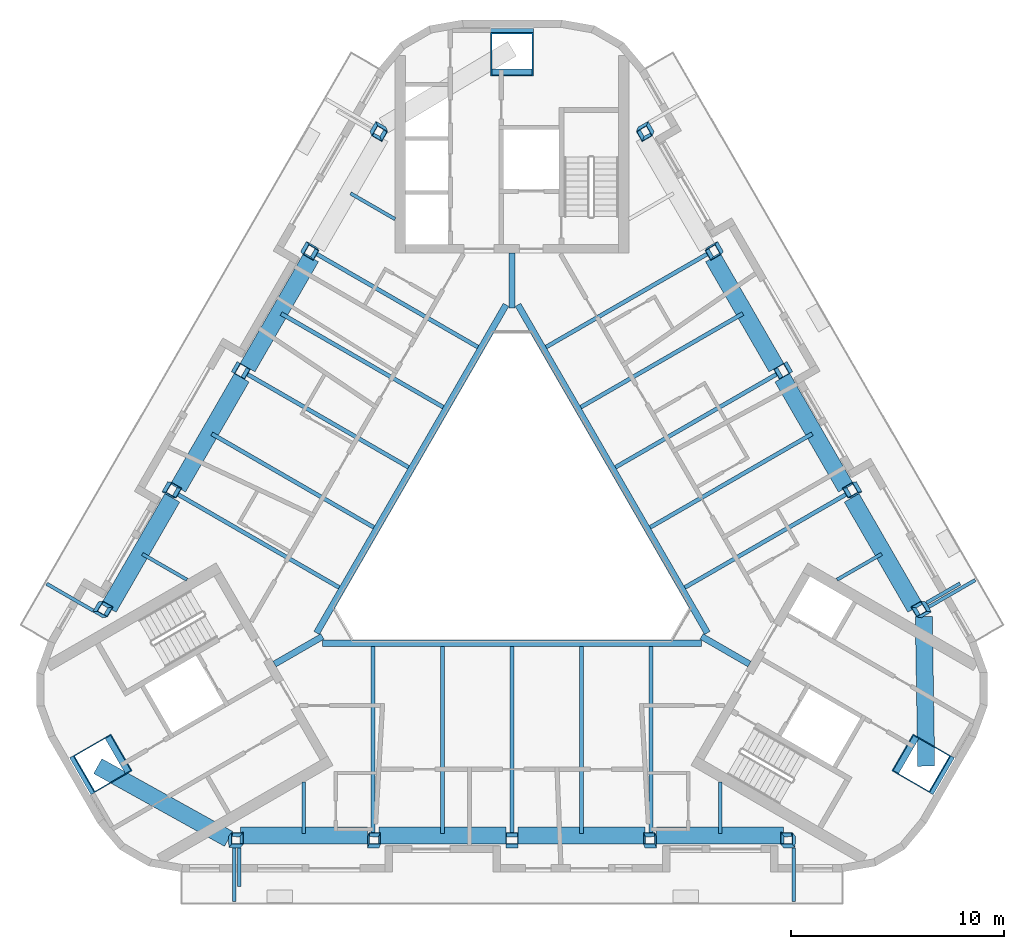
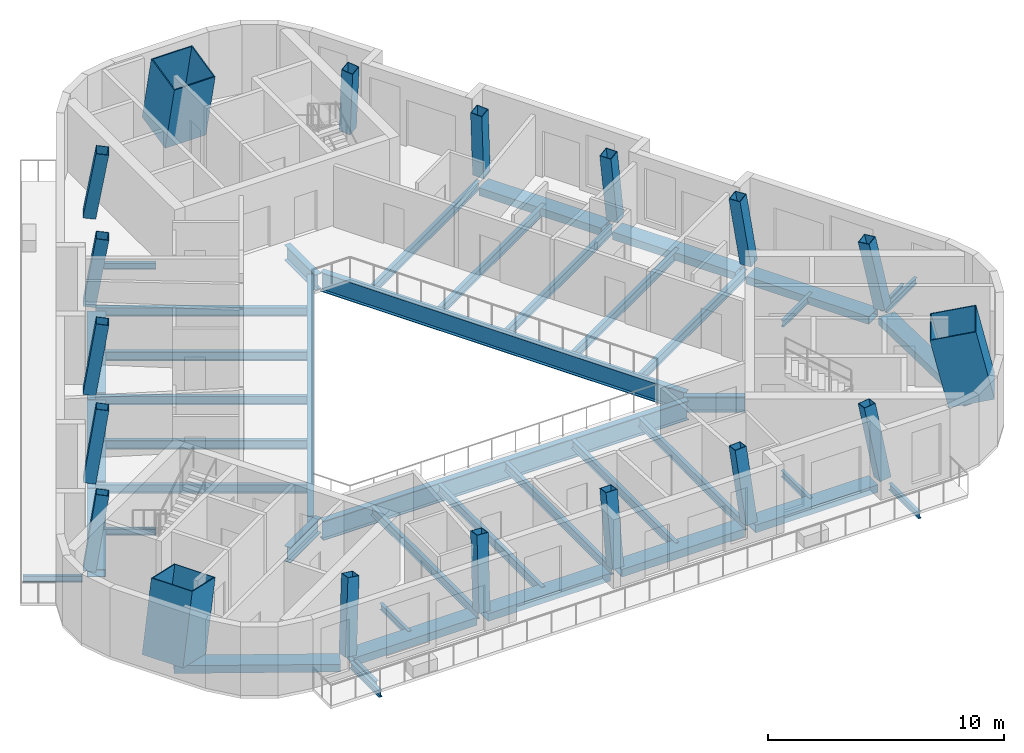
# One storey, part 1 of 11: 44 beams, 18 columns.
"""IFC4 building model written with IfcOpenShell, lengths in metres."""

from ifc_helpers import new_model, si_unit, direction, frame, origin, origin_2d, place, context, subcontext, project, spatial, rectangle, hollow_rectangle, i_section, extrude, boolean, halfspace, material, material_profile, profile_set, type_object, element, save


model = new_model("IFC4")

# Units and contexts
model_context = context("Model", 3, precision=1e-05, world=origin(), true_north=direction((0.0, 1.0)))
body_context = subcontext(model_context, "Body", "Model", "MODEL_VIEW")
ifc_project = project(units=[si_unit("LENGTHUNIT", "METRE"), si_unit("AREAUNIT", "SQUARE_METRE"), si_unit("VOLUMEUNIT", "CUBIC_METRE"), si_unit("PLANEANGLEUNIT", "RADIAN"), si_unit("MASSUNIT", "GRAM", prefix="KILO")], contexts=[model_context])

# Site, building, storey
site_placement = place(None, origin())
site = spatial("IfcSite", under=ifc_project, at=site_placement, CompositionType="ELEMENT")
building_placement = place(site_placement, origin())
building = spatial("IfcBuilding", under=site, at=building_placement, Name="Apuvela Tower Hotel", CompositionType="ELEMENT")
storey_placement = place(building_placement, frame((0.0, 0.0, 320.699951171875)))
storey = spatial("IfcBuildingStorey", under=building, at=storey_placement, Name="L80", CompositionType="ELEMENT", Elevation=320.699951171875)

# Columns
ifc_material_1 = material(Name="Steel S460", Category="steel")
ifc_material_profile_1 = material_profile(ifc_material_1, hollow_rectangle(XDim=2.0, YDim=2.0, WallThickness=0.050048828125, at=origin_2d()), Name="BOX 2000x2000x50")
ifc_material_2 = material(Name="Concrete C80/95", Category="concrete")
ifc_material_profile_2 = material_profile(ifc_material_2, rectangle(XDim=1.89990234375, YDim=1.89990234375, at=origin_2d()), Name="Concrete C80/95 infill")
ifc_profile_set_1 = profile_set([ifc_material_profile_1, ifc_material_profile_2], Name="Steel S460")
column_type_1 = type_object("IfcColumnType", Name="STR-MC mega column BOX 2000x2000x50", PredefinedType="COLUMN", material=ifc_profile_set_1)
for number, where, z_axis, x_axis, name in (
    (1, (0.0, 22.507568359375, 0.0), (0.0, -0.21982618752, 0.975539054718), (1.0, 0.0, 0.0), "Mega column MC4 N"),
    (2, (-19.4921875, -11.25390625, 0.0), (0.190406849863, 0.109944185114, 0.975529347424), (-0.500043453909, 0.866000314205, 0.0), "Mega column MC4 SW"),
    (3, (19.4921875, -11.25390625, 0.0), (-0.190406849863, 0.109944185114, 0.975529347424), (0.500043453909, 0.866000314205, 0.0), "Mega column MC4 SE"),
):
    element("IfcColumn", number, at=place(storey_placement, frame(where, z_axis=z_axis, x_axis=x_axis)), inside=storey, type_object=column_type_1, Name=name, PredefinedType="COLUMN", context=body_context, shape_type="SweptSolid", body=[
        boolean("DIFFERENCE", boolean("DIFFERENCE", extrude(hollow_rectangle(XDim=2.0, YDim=2.0, WallThickness=0.050048828125, at=origin_2d()), origin(), (0.0, 0.0, 1.0), 3.792724609375), halfspace(frame((0.0, 0.0, 0.11328125), z_axis=(0.0, 0.0, 1.0), x_axis=(1.0, 0.0, 0.0)), True)), halfspace(frame((0.0, 0.0, 3.679443359375), z_axis=(0.0, 0.0, 1.0), x_axis=(1.0, 0.0, 0.0)), False)),
    ])
ifc_material_profile_3 = material_profile(ifc_material_1, hollow_rectangle(XDim=0.550048828125, YDim=0.550048828125, WallThickness=0.02490234375, at=origin_2d()), Name="BOX 550x550x25")
ifc_material_profile_4 = material_profile(ifc_material_2, rectangle(XDim=0.5, YDim=0.5, at=origin_2d()), Name="Concrete C80/95 infill")
ifc_profile_set_2 = profile_set([ifc_material_profile_3, ifc_material_profile_4], Name="Steel S460")
column_type_2 = type_object("IfcColumnType", Name="STR-PC perimeter column BOX 550x550x25", PredefinedType="COLUMN", material=ifc_profile_set_2)
column_1_placement = place(storey_placement, frame((-13.061279296875, -14.827392578125, 0.0), z_axis=(0.121007284992, 0.150336498529, 0.981201393287), x_axis=(-0.992609775631, 0.009249858451, 0.120996997646)))
element("IfcColumn", 4, at=column_1_placement, inside=storey, type_object=column_type_2, Name="Perimeter column C7 S1", PredefinedType="COLUMN", context=body_context, shape_type="SweptSolid", body=[
    boolean("DIFFERENCE", boolean("DIFFERENCE", extrude(hollow_rectangle(XDim=0.550048828125, YDim=0.550048828125, WallThickness=0.02490234375, at=origin_2d()), origin(), (0.0, 0.0, 1.0), 3.770751953125), halfspace(frame((0.0, 0.0, 0.039794921875), z_axis=(0.0, 0.0, 1.0), x_axis=(1.0, 0.0, 0.0)), True)), halfspace(frame((0.0, 0.0, 3.73095703125), z_axis=(0.0, 0.0, 1.0), x_axis=(1.0, 0.0, 0.0)), False)),
])
column_2_placement = place(storey_placement, frame((-6.53076171875, -14.827392578125, 0.0), z_axis=(0.060871062735, 0.151168564354, 0.986632038235), x_axis=(-0.998135304591, 0.004721094283, 0.0608574153)))
element("IfcColumn", 5, at=column_2_placement, inside=storey, type_object=column_type_2, Name="Perimeter column C7 S2", PredefinedType="COLUMN", context=body_context, shape_type="SweptSolid", body=[
    boolean("DIFFERENCE", boolean("DIFFERENCE", extrude(hollow_rectangle(XDim=0.550048828125, YDim=0.550048828125, WallThickness=0.02490234375, at=origin_2d()), origin(), (0.0, 0.0, 1.0), 3.75), halfspace(frame((0.0, 0.0, 0.033935546875), z_axis=(0.0, 0.0, 1.0), x_axis=(1.0, 0.0, 0.0)), True)), halfspace(frame((0.0, 0.0, 3.716064453125), z_axis=(0.0, 0.0, 1.0), x_axis=(1.0, 0.0, 0.0)), False)),
])
column_3_placement = place(storey_placement, frame((0.0, -14.827392578125, 0.0), z_axis=(0.0, 0.151449406449, 0.988465010653), x_axis=(-1.0, 0.0, 0.0)))
element("IfcColumn", 6, at=column_3_placement, inside=storey, type_object=column_type_2, Name="Perimeter column C7 S3", PredefinedType="COLUMN", context=body_context, shape_type="SweptSolid", body=[
    boolean("DIFFERENCE", boolean("DIFFERENCE", extrude(hollow_rectangle(XDim=0.550048828125, YDim=0.550048828125, WallThickness=0.02490234375, at=origin_2d()), origin(), (0.0, 0.0, 1.0), 3.7431640625), halfspace(frame((0.0, 0.0, 0.031494140625), z_axis=(0.0, 0.0, 1.0), x_axis=(1.0, 0.0, 0.0)), True)), halfspace(frame((0.0, 0.0, 3.71142578125), z_axis=(0.0, 0.0, 1.0), x_axis=(1.0, 0.0, 0.0)), False)),
])
column_4_placement = place(storey_placement, frame((6.53076171875, -14.827392578125, 0.0), z_axis=(-0.060871062735, 0.151168564354, 0.986632038235), x_axis=(0.998135304591, 0.004721094283, 0.0608574153)))
element("IfcColumn", 7, at=column_4_placement, inside=storey, type_object=column_type_2, Name="Perimeter column C7 S4", PredefinedType="COLUMN", context=body_context, shape_type="SweptSolid", body=[
    boolean("DIFFERENCE", boolean("DIFFERENCE", extrude(hollow_rectangle(XDim=0.550048828125, YDim=0.550048828125, WallThickness=0.02490234375, at=origin_2d()), origin(), (0.0, 0.0, 1.0), 3.75), halfspace(frame((0.0, 0.0, 0.033935546875), z_axis=(0.0, 0.0, 1.0), x_axis=(1.0, 0.0, 0.0)), True)), halfspace(frame((0.0, 0.0, 3.716064453125), z_axis=(0.0, 0.0, 1.0), x_axis=(1.0, 0.0, 0.0)), False)),
])
for number, where, z_axis, x_axis, name in (
    (8, (13.061279296875, -14.827392578125, 0.0), (-0.121007284992, 0.150336498529, 0.981201393287), (0.992609775631, 0.009249858451, 0.120996997646), "Perimeter column C7 S5"),
    (9, (19.37158203125, -3.897705078125, 0.0), (-0.190735471498, 0.029652697198, 0.981193506634), (0.48820144503, -0.864299133312, 0.121022135277), "Perimeter column C7 NE1"),
):
    element("IfcColumn", number, at=place(storey_placement, frame(where, z_axis=z_axis, x_axis=x_axis)), inside=storey, type_object=column_type_2, Name=name, PredefinedType="COLUMN", context=body_context, shape_type="SweptSolid", body=[
        boolean("DIFFERENCE", boolean("DIFFERENCE", extrude(hollow_rectangle(XDim=0.550048828125, YDim=0.550048828125, WallThickness=0.02490234375, at=origin_2d()), origin(), (0.0, 0.0, 1.0), 3.770751953125), halfspace(frame((0.0, 0.0, 0.039794921875), z_axis=(0.0, 0.0, 1.0), x_axis=(1.0, 0.0, 0.0)), True)), halfspace(frame((0.0, 0.0, 3.73095703125), z_axis=(0.0, 0.0, 1.0), x_axis=(1.0, 0.0, 0.0)), False)),
    ])
column_5_placement = place(storey_placement, frame((16.106201171875, 1.758056640625, 0.0), z_axis=(-0.16132511193, -0.02291623866, 0.98663521844), x_axis=(0.495162384909, -0.866667980787, 0.060834395287)))
element("IfcColumn", 10, at=column_5_placement, inside=storey, type_object=column_type_2, Name="Perimeter column C7 NE2", PredefinedType="COLUMN", context=body_context, shape_type="SweptSolid", body=[
    boolean("DIFFERENCE", boolean("DIFFERENCE", extrude(hollow_rectangle(XDim=0.550048828125, YDim=0.550048828125, WallThickness=0.02490234375, at=origin_2d()), origin(), (0.0, 0.0, 1.0), 3.75), halfspace(frame((0.0, 0.0, 0.033935546875), z_axis=(0.0, 0.0, 1.0), x_axis=(1.0, 0.0, 0.0)), True)), halfspace(frame((0.0, 0.0, 3.716064453125), z_axis=(0.0, 0.0, 1.0), x_axis=(1.0, 0.0, 0.0)), False)),
])
column_6_placement = place(storey_placement, frame((12.841064453125, 7.413818359375, 0.0), z_axis=(-0.1312281915, -0.075788846185, 0.9884509156), x_axis=(0.500239345249, -0.865887173376, 2.1159167e-05)))
element("IfcColumn", 11, at=column_6_placement, inside=storey, type_object=column_type_2, Name="Perimeter column C7 NE3", PredefinedType="COLUMN", context=body_context, shape_type="SweptSolid", body=[
    boolean("DIFFERENCE", boolean("DIFFERENCE", extrude(hollow_rectangle(XDim=0.550048828125, YDim=0.550048828125, WallThickness=0.02490234375, at=origin_2d()), origin(), (0.0, 0.0, 1.0), 3.7431640625), halfspace(frame((0.0, 0.0, 0.031494140625), z_axis=(0.0, 0.0, 1.0), x_axis=(1.0, 0.0, 0.0)), True)), halfspace(frame((0.0, 0.0, 3.711669921875), z_axis=(0.0, 0.0, 1.0), x_axis=(1.0, 0.0, 0.0)), False)),
])
column_7_placement = place(storey_placement, frame((9.57568359375, 13.069580078125, 0.0), z_axis=(-0.100582464937, -0.128315882454, 0.986619583252), x_axis=(-0.502859866582, 0.862221844537, 0.060872369628)))
element("IfcColumn", 12, at=column_7_placement, inside=storey, type_object=column_type_2, Name="Perimeter column C7 NE4", PredefinedType="COLUMN", context=body_context, shape_type="SweptSolid", body=[
    boolean("DIFFERENCE", boolean("DIFFERENCE", extrude(hollow_rectangle(XDim=0.550048828125, YDim=0.550048828125, WallThickness=0.02490234375, at=origin_2d()), origin(), (0.0, 0.0, 1.0), 3.750244140625), halfspace(frame((0.0, 0.0, 0.033935546875), z_axis=(0.0, 0.0, 1.0), x_axis=(1.0, 0.0, 0.0)), True)), halfspace(frame((0.0, 0.0, 3.71630859375), z_axis=(0.0, 0.0, 1.0), x_axis=(1.0, 0.0, 0.0)), False)),
])
for number, where, z_axis, x_axis, name in (
    (13, (6.310302734375, 18.72509765625, 0.0), (-0.069729210429, -0.17998811977, 0.981194228456), (-0.504140775731, 0.855098670829, 0.121030332527), "Perimeter column C7 NE5"),
    (14, (-6.310302734375, 18.72509765625, 0.0), (0.069729210429, -0.17998811977, 0.981194228456), (0.504140775731, 0.855098670829, 0.121030332527), "Perimeter column C7 NW1"),
):
    element("IfcColumn", number, at=place(storey_placement, frame(where, z_axis=z_axis, x_axis=x_axis)), inside=storey, type_object=column_type_2, Name=name, PredefinedType="COLUMN", context=body_context, shape_type="SweptSolid", body=[
        boolean("DIFFERENCE", boolean("DIFFERENCE", extrude(hollow_rectangle(XDim=0.550048828125, YDim=0.550048828125, WallThickness=0.02490234375, at=origin_2d()), origin(), (0.0, 0.0, 1.0), 3.770751953125), halfspace(frame((0.0, 0.0, 0.039794921875), z_axis=(0.0, 0.0, 1.0), x_axis=(1.0, 0.0, 0.0)), True)), halfspace(frame((0.0, 0.0, 3.73095703125), z_axis=(0.0, 0.0, 1.0), x_axis=(1.0, 0.0, 0.0)), False)),
    ])
column_8_placement = place(storey_placement, frame((-9.57568359375, 13.069580078125, 0.0), z_axis=(0.100582464937, -0.128315882454, 0.986619583252), x_axis=(0.502859866582, 0.862221844537, 0.060872369628)))
element("IfcColumn", 15, at=column_8_placement, inside=storey, type_object=column_type_2, Name="Perimeter column C7 NW2", PredefinedType="COLUMN", context=body_context, shape_type="SweptSolid", body=[
    boolean("DIFFERENCE", boolean("DIFFERENCE", extrude(hollow_rectangle(XDim=0.550048828125, YDim=0.550048828125, WallThickness=0.02490234375, at=origin_2d()), origin(), (0.0, 0.0, 1.0), 3.750244140625), halfspace(frame((0.0, 0.0, 0.033935546875), z_axis=(0.0, 0.0, 1.0), x_axis=(1.0, 0.0, 0.0)), True)), halfspace(frame((0.0, 0.0, 3.71630859375), z_axis=(0.0, 0.0, 1.0), x_axis=(1.0, 0.0, 0.0)), False)),
])
column_9_placement = place(storey_placement, frame((-12.841064453125, 7.413818359375, 0.0), z_axis=(0.1312281915, -0.075788846185, 0.9884509156), x_axis=(-0.500239345249, -0.865887173376, 2.1159167e-05)))
element("IfcColumn", 16, at=column_9_placement, inside=storey, type_object=column_type_2, Name="Perimeter column C7 NW3", PredefinedType="COLUMN", context=body_context, shape_type="SweptSolid", body=[
    boolean("DIFFERENCE", boolean("DIFFERENCE", extrude(hollow_rectangle(XDim=0.550048828125, YDim=0.550048828125, WallThickness=0.02490234375, at=origin_2d()), origin(), (0.0, 0.0, 1.0), 3.7431640625), halfspace(frame((0.0, 0.0, 0.031494140625), z_axis=(0.0, 0.0, 1.0), x_axis=(1.0, 0.0, 0.0)), True)), halfspace(frame((0.0, 0.0, 3.711669921875), z_axis=(0.0, 0.0, 1.0), x_axis=(1.0, 0.0, 0.0)), False)),
])
column_10_placement = place(storey_placement, frame((-16.106201171875, 1.758056640625, 0.0), z_axis=(0.16132511193, -0.02291623866, 0.98663521844), x_axis=(-0.495162384909, -0.866667980787, 0.060834395287)))
element("IfcColumn", 17, at=column_10_placement, inside=storey, type_object=column_type_2, Name="Perimeter column C7 NW4", PredefinedType="COLUMN", context=body_context, shape_type="SweptSolid", body=[
    boolean("DIFFERENCE", boolean("DIFFERENCE", extrude(hollow_rectangle(XDim=0.550048828125, YDim=0.550048828125, WallThickness=0.02490234375, at=origin_2d()), origin(), (0.0, 0.0, 1.0), 3.75), halfspace(frame((0.0, 0.0, 0.033935546875), z_axis=(0.0, 0.0, 1.0), x_axis=(1.0, 0.0, 0.0)), True)), halfspace(frame((0.0, 0.0, 3.716064453125), z_axis=(0.0, 0.0, 1.0), x_axis=(1.0, 0.0, 0.0)), False)),
])
column_11_placement = place(storey_placement, frame((-19.37158203125, -3.897705078125, 0.0), z_axis=(0.190735471498, 0.029652697198, 0.981193506634), x_axis=(-0.48820144503, -0.864299133312, 0.121022135277)))
element("IfcColumn", 18, at=column_11_placement, inside=storey, type_object=column_type_2, Name="Perimeter column C7 NW5", PredefinedType="COLUMN", context=body_context, shape_type="SweptSolid", body=[
    boolean("DIFFERENCE", boolean("DIFFERENCE", extrude(hollow_rectangle(XDim=0.550048828125, YDim=0.550048828125, WallThickness=0.02490234375, at=origin_2d()), origin(), (0.0, 0.0, 1.0), 3.770751953125), halfspace(frame((0.0, 0.0, 0.039794921875), z_axis=(0.0, 0.0, 1.0), x_axis=(1.0, 0.0, 0.0)), True)), halfspace(frame((0.0, 0.0, 3.73095703125), z_axis=(0.0, 0.0, 1.0), x_axis=(1.0, 0.0, 0.0)), False)),
])

# Beams
ifc_material_3 = material(Name="Steel S355", Category="steel")
ifc_material_profile_5 = material_profile(ifc_material_3, i_section(OverallWidth=0.159912109375, OverallDepth=0.330078125, WebThickness=0.007568359375, FlangeThickness=0.011474609375, at=origin_2d()), Name="IPE 330")
ifc_profile_set_3 = profile_set([ifc_material_profile_5], Name="Steel S355")
beam_type_1 = type_object("IfcBeamType", Name="ENV-BALCONY-BEAM-IPE330", PredefinedType="BEAM", material=ifc_profile_set_3)
beam_1_placement = place(storey_placement, frame((-13.061279296875, -15.1025390625, -0.31494140625), z_axis=(0.0, -1.0, 0.0), x_axis=(1.0, 0.0, 0.0)))
element("IfcBeam", 19, at=beam_1_placement, inside=storey, type_object=beam_type_1, Name="Balcony cantilever beam S1 L80", PredefinedType="BEAM", context=body_context, shape_type="SweptSolid", body=[
    extrude(i_section(OverallWidth=0.159912109375, OverallDepth=0.330078125, WebThickness=0.007568359375, FlangeThickness=0.011474609375, at=origin_2d()), origin(), (0.0, 0.0, 1.0), 2.52490234375),
])
beam_2_placement = place(storey_placement, frame((-12.84130859375, -15.1025390625, -0.31494140625), z_axis=(0.0, -1.0, 0.0), x_axis=(1.0, 0.0, 0.0)))
element("IfcBeam", 20, at=beam_2_placement, inside=storey, type_object=beam_type_1, Name="Balcony cantilever beam S2 L80", PredefinedType="BEAM", context=body_context, shape_type="SweptSolid", body=[
    extrude(i_section(OverallWidth=0.159912109375, OverallDepth=0.330078125, WebThickness=0.007568359375, FlangeThickness=0.011474609375, at=origin_2d()), origin(), (0.0, 0.0, 1.0), 1.824951171875),
])
for number, where, z_axis, x_axis, name in (
    (21, (13.26123046875, -15.1025390625, -0.31494140625), (0.0, -1.0, 0.0), (1.0, 0.0, 0.0), "Balcony cantilever beam S3 L80"),
    (22, (19.60986328125, -3.76025390625, -0.31494140625), (0.866014894461, 0.50001820224, 0.0), (-0.50001820224, 0.866014894461, 0.0), "Balcony cantilever beam NE1 L80"),
):
    element("IfcBeam", number, at=place(storey_placement, frame(where, z_axis=z_axis, x_axis=x_axis)), inside=storey, type_object=beam_type_1, Name=name, PredefinedType="BEAM", context=body_context, shape_type="SweptSolid", body=[
        extrude(i_section(OverallWidth=0.159912109375, OverallDepth=0.330078125, WebThickness=0.007568359375, FlangeThickness=0.011474609375, at=origin_2d()), origin(), (0.0, 0.0, 1.0), 2.52490234375),
    ])
beam_3_placement = place(storey_placement, frame((19.499755859375, -3.569580078125, -0.31494140625), z_axis=(0.866069751741, 0.499923179218, 0.0), x_axis=(-0.499923179218, 0.866069751741, 0.0)))
element("IfcBeam", 23, at=beam_3_placement, inside=storey, type_object=beam_type_1, Name="Balcony cantilever beam NE2 L80", PredefinedType="BEAM", context=body_context, shape_type="SweptSolid", body=[
    extrude(i_section(OverallWidth=0.159912109375, OverallDepth=0.330078125, WebThickness=0.007568359375, FlangeThickness=0.011474609375, at=origin_2d()), origin(), (0.0, 0.0, 1.0), 1.824951171875),
])
beam_4_placement = place(storey_placement, frame((-19.709716796875, -3.933349609375, -0.31494140625), z_axis=(-0.866039067339, 0.499976333282, 0.0), x_axis=(-0.499976333282, -0.866039067339, 0.0)))
element("IfcBeam", 24, at=beam_4_placement, inside=storey, type_object=beam_type_1, Name="Balcony cantilever beam NW3 L80", PredefinedType="BEAM", context=body_context, shape_type="SweptSolid", body=[
    extrude(i_section(OverallWidth=0.159912109375, OverallDepth=0.330078125, WebThickness=0.007568359375, FlangeThickness=0.011474609375, at=origin_2d()), origin(), (0.0, 0.0, 1.0), 2.52490234375),
])
ifc_material_profile_6 = material_profile(ifc_material_3, i_section(OverallWidth=0.159912109375, OverallDepth=0.330078125, WebThickness=0.007568359375, FlangeThickness=0.011474609375, at=origin_2d()), Name="IPE 330")
ifc_profile_set_4 = profile_set([ifc_material_profile_6], Name="Steel S355")
beam_type_2 = type_object("IfcBeamType", Name="STR-B floor beam IPE 330", PredefinedType="BEAM", material=ifc_profile_set_4)
for number, where, z_axis, x_axis, name in (
    (25, (17.392578125, -1.27001953125, -0.31494140625), (-0.866081473455, -0.499902871904, 0.0), (0.499902871904, -0.866081473455, 0.0), "Floor beam B1 NE2"),
    (26, (-7.5966796875, 15.697265625, -0.31494140625), (0.866037809602, -0.499978511878, 0.0), (0.499978511878, 0.866037809602, 0.0), "Floor beam B1 NW2"),
    (27, (-17.392578125, -1.27001953125, -0.31494140625), (0.866081473455, -0.499902871904, 0.0), (0.499902871904, 0.866081473455, 0.0), "Floor beam B1 NW8"),
    (28, (-9.7958984375, -14.427490234375, -0.31494140625), (0.0, 1.0, 0.0), (-1.0, 0.0, 0.0), "Floor beam B1 S2"),
    (29, (9.7958984375, -14.427490234375, -0.31494140625), (0.0, 1.0, 0.0), (-1.0, 0.0, 0.0), "Floor beam B1 S8"),
):
    element("IfcBeam", number, at=place(storey_placement, frame(where, z_axis=z_axis, x_axis=x_axis)), inside=storey, type_object=beam_type_2, Name=name, PredefinedType="BEAM", context=body_context, shape_type="SweptSolid", body=[
        extrude(i_section(OverallWidth=0.159912109375, OverallDepth=0.330078125, WebThickness=0.007568359375, FlangeThickness=0.011474609375, at=origin_2d()), origin(), (0.0, 0.0, 1.0), 2.4208984375),
    ])
ifc_material_profile_7 = material_profile(ifc_material_3, i_section(OverallWidth=0.18994140625, OverallDepth=0.449951171875, WebThickness=0.009521484375, FlangeThickness=0.0146484375, at=origin_2d()), Name="IPE 450")
ifc_profile_set_5 = profile_set([ifc_material_profile_7], Name="Steel S355")
beam_type_3 = type_object("IfcBeamType", Name="STR-B floor beam IPE 450", PredefinedType="BEAM", material=ifc_profile_set_5)
beam_5_placement = place(storey_placement, frame((15.8681640625, 1.62060546875, -0.375), z_axis=(-0.866024464444, -0.500001626982, 0.0), x_axis=(0.500001626982, -0.866024464444, 0.0)))
element("IfcBeam", 30, at=beam_5_placement, inside=storey, type_object=beam_type_3, Name="Floor beam B9 NE3", PredefinedType="BEAM", context=body_context, shape_type="SweptSolid", body=[
    extrude(i_section(OverallWidth=0.18994140625, OverallDepth=0.449951171875, WebThickness=0.009521484375, FlangeThickness=0.0146484375, at=origin_2d()), origin(), (0.0, 0.0, 1.0), 8.9326171875),
])
beam_6_placement = place(storey_placement, frame((14.127197265625, 4.385986328125, -0.375), z_axis=(-0.86602032779, -0.500008791777, 0.0), x_axis=(0.500008791777, -0.86602032779, 0.0)))
element("IfcBeam", 31, at=beam_6_placement, inside=storey, type_object=beam_type_3, Name="Floor beam B9 NE4", PredefinedType="BEAM", context=body_context, shape_type="SweptSolid", body=[
    extrude(i_section(OverallWidth=0.18994140625, OverallDepth=0.449951171875, WebThickness=0.009521484375, FlangeThickness=0.0146484375, at=origin_2d()), origin(), (0.0, 0.0, 1.0), 8.807373046875),
])
beam_7_placement = place(storey_placement, frame((12.602783203125, 7.276123046875, -0.375), z_axis=(-0.866029466572, -0.499992962979, 0.0), x_axis=(0.499992962979, -0.866029466572, 0.0)))
element("IfcBeam", 32, at=beam_7_placement, inside=storey, type_object=beam_type_3, Name="Floor beam B9 NE5", PredefinedType="BEAM", context=body_context, shape_type="SweptSolid", body=[
    extrude(i_section(OverallWidth=0.18994140625, OverallDepth=0.449951171875, WebThickness=0.009521484375, FlangeThickness=0.0146484375, at=origin_2d()), origin(), (0.0, 0.0, 1.0), 8.932373046875),
])
beam_8_placement = place(storey_placement, frame((10.86181640625, 10.04150390625, -0.375), z_axis=(-0.86603233085, -0.499988001778, 0.0), x_axis=(0.499988001778, -0.86603233085, 0.0)))
element("IfcBeam", 33, at=beam_8_placement, inside=storey, type_object=beam_type_3, Name="Floor beam B9 NE6", PredefinedType="BEAM", context=body_context, shape_type="SweptSolid", body=[
    extrude(i_section(OverallWidth=0.18994140625, OverallDepth=0.449951171875, WebThickness=0.009521484375, FlangeThickness=0.0146484375, at=origin_2d()), origin(), (0.0, 0.0, 1.0), 8.807373046875),
])
for number, where, z_axis, x_axis, name in (
    (34, (9.33740234375, 12.931884765625, -0.375), (-0.866029466572, -0.499992962979, 0.0), (0.499992962979, -0.866029466572, 0.0), "Floor beam B9 NE7"),
    (35, (-9.33740234375, 12.931884765625, -0.375), (0.866029466572, -0.499992962979, 0.0), (0.499992962979, 0.866029466572, 0.0), "Floor beam B9 NW3"),
):
    element("IfcBeam", number, at=place(storey_placement, frame(where, z_axis=z_axis, x_axis=x_axis)), inside=storey, type_object=beam_type_3, Name=name, PredefinedType="BEAM", context=body_context, shape_type="SweptSolid", body=[
        extrude(i_section(OverallWidth=0.18994140625, OverallDepth=0.449951171875, WebThickness=0.009521484375, FlangeThickness=0.0146484375, at=origin_2d()), origin(), (0.0, 0.0, 1.0), 8.932373046875),
    ])
beam_9_placement = place(storey_placement, frame((-10.86181640625, 10.04150390625, -0.375), z_axis=(0.86603233085, -0.499988001778, 0.0), x_axis=(0.499988001778, 0.86603233085, 0.0)))
element("IfcBeam", 36, at=beam_9_placement, inside=storey, type_object=beam_type_3, Name="Floor beam B9 NW4", PredefinedType="BEAM", context=body_context, shape_type="SweptSolid", body=[
    extrude(i_section(OverallWidth=0.18994140625, OverallDepth=0.449951171875, WebThickness=0.009521484375, FlangeThickness=0.0146484375, at=origin_2d()), origin(), (0.0, 0.0, 1.0), 8.807373046875),
])
beam_10_placement = place(storey_placement, frame((-12.602783203125, 7.276123046875, -0.375), z_axis=(0.866029466572, -0.499992962979, 0.0), x_axis=(0.499992962979, 0.866029466572, 0.0)))
element("IfcBeam", 37, at=beam_10_placement, inside=storey, type_object=beam_type_3, Name="Floor beam B9 NW5", PredefinedType="BEAM", context=body_context, shape_type="SweptSolid", body=[
    extrude(i_section(OverallWidth=0.18994140625, OverallDepth=0.449951171875, WebThickness=0.009521484375, FlangeThickness=0.0146484375, at=origin_2d()), origin(), (0.0, 0.0, 1.0), 8.932373046875),
])
beam_11_placement = place(storey_placement, frame((-14.127197265625, 4.385986328125, -0.375), z_axis=(0.86602032779, -0.500008791777, 0.0), x_axis=(0.500008791777, 0.86602032779, 0.0)))
element("IfcBeam", 38, at=beam_11_placement, inside=storey, type_object=beam_type_3, Name="Floor beam B9 NW6", PredefinedType="BEAM", context=body_context, shape_type="SweptSolid", body=[
    extrude(i_section(OverallWidth=0.18994140625, OverallDepth=0.449951171875, WebThickness=0.009521484375, FlangeThickness=0.0146484375, at=origin_2d()), origin(), (0.0, 0.0, 1.0), 8.807373046875),
])
beam_12_placement = place(storey_placement, frame((-15.8681640625, 1.62060546875, -0.375), z_axis=(0.866024464444, -0.500001626982, 0.0), x_axis=(0.500001626982, 0.866024464444, 0.0)))
element("IfcBeam", 39, at=beam_12_placement, inside=storey, type_object=beam_type_3, Name="Floor beam B9 NW7", PredefinedType="BEAM", context=body_context, shape_type="SweptSolid", body=[
    extrude(i_section(OverallWidth=0.18994140625, OverallDepth=0.449951171875, WebThickness=0.009521484375, FlangeThickness=0.0146484375, at=origin_2d()), origin(), (0.0, 0.0, 1.0), 8.9326171875),
])
beam_13_placement = place(storey_placement, frame((-6.53076171875, -14.552490234375, -0.375), z_axis=(0.0, 1.0, 0.0), x_axis=(-1.0, 0.0, 0.0)))
element("IfcBeam", 40, at=beam_13_placement, inside=storey, type_object=beam_type_3, Name="Floor beam B9 S3", PredefinedType="BEAM", context=body_context, shape_type="SweptSolid", body=[
    extrude(i_section(OverallWidth=0.18994140625, OverallDepth=0.449951171875, WebThickness=0.009521484375, FlangeThickness=0.0146484375, at=origin_2d()), origin(), (0.0, 0.0, 1.0), 8.932373046875),
])
beam_14_placement = place(storey_placement, frame((-3.265380859375, -14.427490234375, -0.375), z_axis=(0.0, 1.0, 0.0), x_axis=(-1.0, 0.0, 0.0)))
element("IfcBeam", 41, at=beam_14_placement, inside=storey, type_object=beam_type_3, Name="Floor beam B9 S4", PredefinedType="BEAM", context=body_context, shape_type="SweptSolid", body=[
    extrude(i_section(OverallWidth=0.18994140625, OverallDepth=0.449951171875, WebThickness=0.009521484375, FlangeThickness=0.0146484375, at=origin_2d()), origin(), (0.0, 0.0, 1.0), 8.807373046875),
])
beam_15_placement = place(storey_placement, frame((0.0, -14.552490234375, -0.375), z_axis=(0.0, 1.0, 0.0), x_axis=(-1.0, 0.0, 0.0)))
element("IfcBeam", 42, at=beam_15_placement, inside=storey, type_object=beam_type_3, Name="Floor beam B9 S5", PredefinedType="BEAM", context=body_context, shape_type="SweptSolid", body=[
    extrude(i_section(OverallWidth=0.18994140625, OverallDepth=0.449951171875, WebThickness=0.009521484375, FlangeThickness=0.0146484375, at=origin_2d()), origin(), (0.0, 0.0, 1.0), 8.932373046875),
])
beam_16_placement = place(storey_placement, frame((3.265380859375, -14.427490234375, -0.375), z_axis=(0.0, 1.0, 0.0), x_axis=(-1.0, 0.0, 0.0)))
element("IfcBeam", 43, at=beam_16_placement, inside=storey, type_object=beam_type_3, Name="Floor beam B9 S6", PredefinedType="BEAM", context=body_context, shape_type="SweptSolid", body=[
    extrude(i_section(OverallWidth=0.18994140625, OverallDepth=0.449951171875, WebThickness=0.009521484375, FlangeThickness=0.0146484375, at=origin_2d()), origin(), (0.0, 0.0, 1.0), 8.807373046875),
])
beam_17_placement = place(storey_placement, frame((6.53076171875, -14.552490234375, -0.375), z_axis=(0.0, 1.0, 0.0), x_axis=(-1.0, 0.0, 0.0)))
element("IfcBeam", 44, at=beam_17_placement, inside=storey, type_object=beam_type_3, Name="Floor beam B9 S7", PredefinedType="BEAM", context=body_context, shape_type="SweptSolid", body=[
    extrude(i_section(OverallWidth=0.18994140625, OverallDepth=0.449951171875, WebThickness=0.009521484375, FlangeThickness=0.0146484375, at=origin_2d()), origin(), (0.0, 0.0, 1.0), 8.932373046875),
])
ifc_material_profile_8 = material_profile(ifc_material_3, i_section(OverallWidth=0.300048828125, OverallDepth=0.989990234375, WebThickness=0.0166015625, FlangeThickness=0.031005859375, at=origin_2d()), Name="HE 1000 A")
ifc_profile_set_6 = profile_set([ifc_material_profile_8], Name="Steel S355")
beam_type_4 = type_object("IfcBeamType", Name="STR-G atrium ring girder HE 1000 A", PredefinedType="BEAM", material=ifc_profile_set_6)
beam_18_placement = place(storey_placement, frame((-0.27978515625, 10.455078125, -0.64501953125), z_axis=(-0.500006541319, -0.866021627119, 0.0), x_axis=(0.866021627119, -0.500006541319, 0.0)))
element("IfcBeam", 45, at=beam_18_placement, inside=storey, type_object=beam_type_4, Name="Atrium ring girder G3 N-SW", PredefinedType="BEAM", context=body_context, shape_type="SweptSolid", body=[
    extrude(i_section(OverallWidth=0.300048828125, OverallDepth=0.989990234375, WebThickness=0.0166015625, FlangeThickness=0.031005859375, at=origin_2d()), origin(), (0.0, 0.0, 1.0), 17.828857421875),
])
beam_19_placement = place(storey_placement, frame((-8.91455078125, -5.469970703125, -0.64501953125), z_axis=(1.0, 0.0, 0.0), x_axis=(0.0, 1.0, 0.0)))
element("IfcBeam", 46, at=beam_19_placement, inside=storey, type_object=beam_type_4, Name="Atrium ring girder G3 SW-SE", PredefinedType="BEAM", context=body_context, shape_type="SweptSolid", body=[
    extrude(i_section(OverallWidth=0.300048828125, OverallDepth=0.989990234375, WebThickness=0.0166015625, FlangeThickness=0.031005859375, at=origin_2d()), origin(), (0.0, 0.0, 1.0), 17.8291015625),
])
beam_20_placement = place(storey_placement, frame((9.1943359375, -4.985107421875, -0.64501953125), z_axis=(-0.500006541319, 0.866021627119, 0.0), x_axis=(-0.866021627119, -0.500006541319, 0.0)))
element("IfcBeam", 47, at=beam_20_placement, inside=storey, type_object=beam_type_4, Name="Atrium ring girder G3 SE-N", PredefinedType="BEAM", context=body_context, shape_type="SweptSolid", body=[
    extrude(i_section(OverallWidth=0.300048828125, OverallDepth=0.989990234375, WebThickness=0.0166015625, FlangeThickness=0.031005859375, at=origin_2d()), origin(), (0.0, 0.0, 1.0), 17.828857421875),
])
ifc_material_profile_9 = material_profile(ifc_material_3, i_section(OverallWidth=0.300048828125, OverallDepth=0.800048828125, WebThickness=0.017578125, FlangeThickness=0.032958984375, at=origin_2d()), Name="HE 800 B")
ifc_profile_set_7 = profile_set([ifc_material_profile_9], Name="Steel S355")
beam_type_5 = type_object("IfcBeamType", Name="STR-GT core tie beam HE 800 B", PredefinedType="BEAM", material=ifc_profile_set_7)
for number, where, z_axis, x_axis, name in (
    (48, (0.0, 12.89990234375, -0.550048828125), (0.0, -1.0, 0.0), (1.0, 0.0, 0.0), "Core tie beam GT1 N"),
    (49, (-11.171630859375, -6.449951171875, -0.550048828125), (0.865997922154, 0.500047596559, 0.0), (-0.500047596559, 0.865997922154, 0.0), "Core tie beam GT1 SW"),
    (50, (11.171630859375, -6.449951171875, -0.550048828125), (-0.865997922154, 0.500047596559, 0.0), (-0.500047596559, -0.865997922154, 0.0), "Core tie beam GT1 SE"),
):
    element("IfcBeam", number, at=place(storey_placement, frame(where, z_axis=z_axis, x_axis=x_axis)), inside=storey, type_object=beam_type_5, Name=name, PredefinedType="BEAM", context=body_context, shape_type="SweptSolid", body=[
        extrude(i_section(OverallWidth=0.300048828125, OverallDepth=0.800048828125, WebThickness=0.017578125, FlangeThickness=0.032958984375, at=origin_2d()), origin(), (0.0, 0.0, 1.0), 2.599853515625),
    ])
ifc_material_profile_10 = material_profile(ifc_material_1, hollow_rectangle(XDim=0.800048828125, YDim=0.39990234375, WallThickness=0.02490234375, at=origin_2d()), Name="BOX 800x400x25")
ifc_profile_set_8 = profile_set([ifc_material_profile_10], Name="Steel S460")
beam_type_6 = type_object("IfcBeamType", Name="STR-RB perimeter ring beam BOX 800x400x25", PredefinedType="SPANDREL", material=ifc_profile_set_8)
for number, where, z_axis, x_axis, name in (
    (51, (-12.786376953125, -14.527587890625, -0.39990234375), (1.0, 0.0, 0.0), (0.0, 1.0, 0.0), "Ring beam RB1 S1"),
    (52, (-6.255615234375, -14.527587890625, -0.39990234375), (1.0, 0.0, 0.0), (0.0, 1.0, 0.0), "Ring beam RB1 S2"),
    (53, (0.27490234375, -14.527587890625, -0.39990234375), (1.0, 0.0, 0.0), (0.0, 1.0, 0.0), "Ring beam RB1 S3"),
    (54, (6.8056640625, -14.527587890625, -0.39990234375), (1.0, 0.0, 0.0), (0.0, 1.0, 0.0), "Ring beam RB1 S4"),
    (55, (18.974365234375, -3.8095703125, -0.39990234375), (-0.50001573759, 0.866016317492, 0.0), (-0.866016317492, -0.50001573759, 0.0), "Ring beam RB1 NE1"),
    (56, (15.708984375, 1.84619140625, -0.39990234375), (-0.499985121587, 0.86603399367, 0.0), (-0.86603399367, -0.499985121587, 0.0), "Ring beam RB1 NE2"),
    (57, (12.443603515625, 7.501953125, -0.39990234375), (-0.499985121587, 0.86603399367, 0.0), (-0.86603399367, -0.499985121587, 0.0), "Ring beam RB1 NE3"),
    (58, (-9.453369140625, 12.681396484375, -0.39990234375), (-0.499985121587, -0.86603399367, 0.0), (0.86603399367, -0.499985121587, 0.0), "Ring beam RB1 NW2"),
    (59, (-12.71875, 7.025634765625, -0.39990234375), (-0.499985121587, -0.86603399367, 0.0), (0.86603399367, -0.499985121587, 0.0), "Ring beam RB1 NW3"),
    (60, (-15.98388671875, 1.369873046875, -0.39990234375), (-0.50001573759, -0.866016317492, 0.0), (0.866016317492, -0.50001573759, 0.0), "Ring beam RB1 NW4"),
):
    element("IfcBeam", number, at=place(storey_placement, frame(where, z_axis=z_axis, x_axis=x_axis)), inside=storey, type_object=beam_type_6, Name=name, PredefinedType="SPANDREL", context=body_context, shape_type="SweptSolid", body=[
        extrude(hollow_rectangle(XDim=0.800048828125, YDim=0.39990234375, WallThickness=0.02490234375, at=origin_2d()), origin(), (0.0, 0.0, 1.0), 5.980712890625),
    ])
for number, where, z_axis, x_axis, name in (
    (61, (-13.336181640625, -14.674560546875, -0.39990234375), (-0.874118028073, 0.485713570943, 0.0), (-0.485713570943, -0.874118028073, 0.0), "Ring beam RB1 S1-SW"),
    (62, (19.376708984375, -4.21240234375, -0.39990234375), (0.016397489985, -0.999865552123, 0.0), (0.999865552123, 0.016397489985, 0.0), "Ring beam RB1 NE1-SE"),
):
    element("IfcBeam", number, at=place(storey_placement, frame(where, z_axis=z_axis, x_axis=x_axis)), inside=storey, type_object=beam_type_6, Name=name, PredefinedType="SPANDREL", context=body_context, shape_type="SweptSolid", body=[
        extrude(hollow_rectangle(XDim=0.800048828125, YDim=0.39990234375, WallThickness=0.02490234375, at=origin_2d()), origin(), (0.0, 0.0, 1.0), 7.04248046875),
    ])

save(model, "model.ifc")
